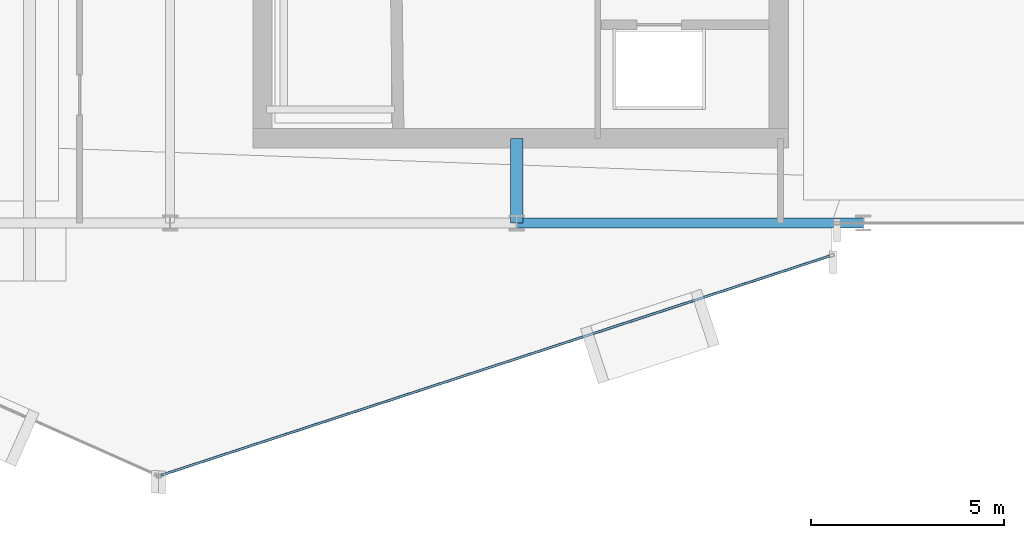
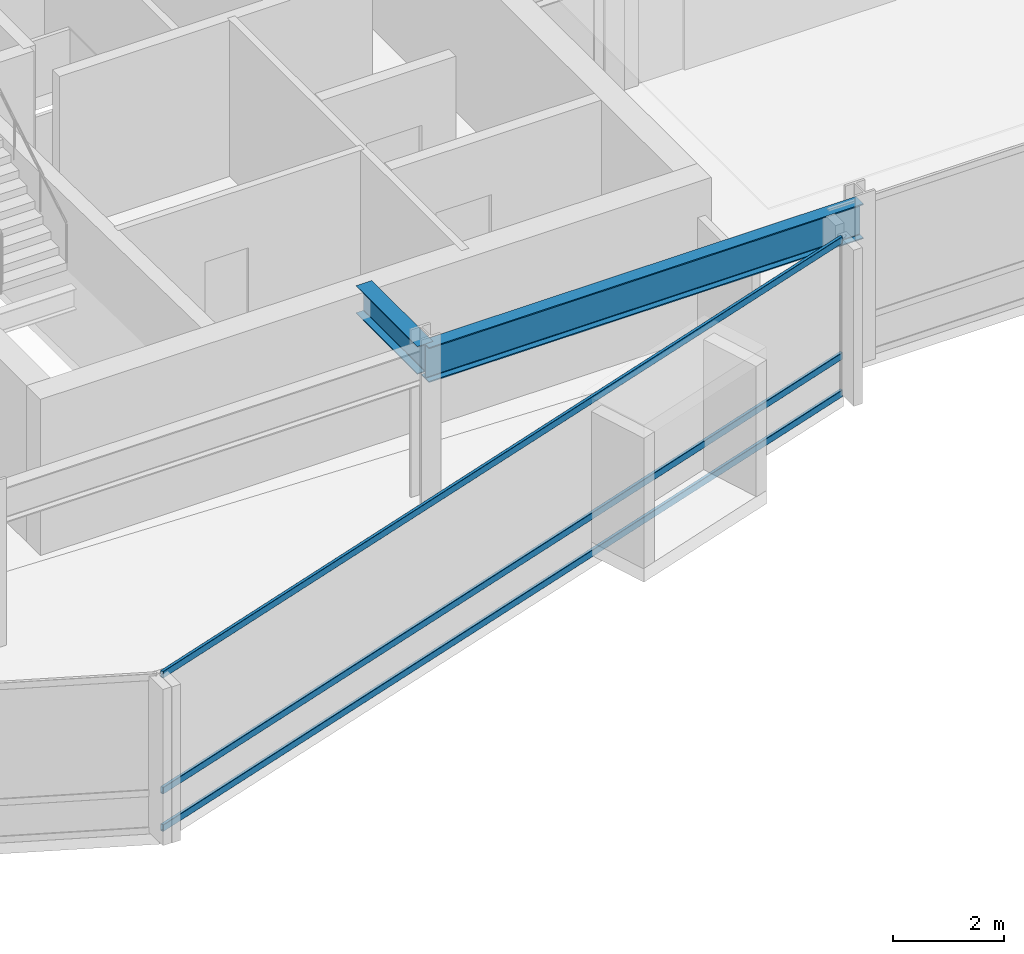
# One storey, part 9 of 27: 3 members, 2 beams, 1 element without a shape of its own.
"""IFC4 building model written with IfcOpenShell, lengths in metres."""

from ifc_helpers import new_model, si_unit, direction, frame, origin, origin_2d, place, context, subcontext, project, spatial, hollow_rectangle, i_section, extrude, material, layer, layer_set, material_profile, profile_set, type_object, element, aggregate, save


model = new_model("IFC4")

# Units and contexts
model_context = context("Model", 3, precision=1e-05, world=origin(), true_north=direction((0.0, 1.0)))
body_context = subcontext(model_context, "Body", "Model", "MODEL_VIEW")
ifc_project = project(units=[si_unit("LENGTHUNIT", "METRE"), si_unit("AREAUNIT", "SQUARE_METRE"), si_unit("VOLUMEUNIT", "CUBIC_METRE"), si_unit("PLANEANGLEUNIT", "RADIAN"), si_unit("MASSUNIT", "GRAM", prefix="KILO")], contexts=[model_context])

# Site, building, storey
site_placement = place(None, origin())
site = spatial("IfcSite", under=ifc_project, at=site_placement, CompositionType="ELEMENT")
building_placement = place(site_placement, origin())
building = spatial("IfcBuilding", under=site, at=building_placement, Name="Solvaryn Broadcast Tower", CompositionType="ELEMENT")
storey_placement = place(building_placement, frame((0.0, 0.0, 185.300048828125)))
storey = spatial("IfcBuildingStorey", under=building, at=storey_placement, Name="L46", CompositionType="ELEMENT", Elevation=185.300048828125)

# Beams
ifc_material_1 = material(Name="Steel ASTM A992 Grade 50", Category="steel")
ifc_material_profile_1 = material_profile(ifc_material_1, i_section(OverallWidth=0.323974609375, OverallDepth=0.611083984375, WebThickness=0.0126953125, FlangeThickness=0.01904296875, FilletRadius=0.014892578125, at=origin_2d()))
ifc_profile_set_1 = profile_set([ifc_material_profile_1], Name="Steel ASTM A992 Grade 50")
beam_type_1 = type_object("IfcBeamType", Name="BM-B1-W24X104", PredefinedType="BEAM", material=ifc_profile_set_1)
beam_1_placement = place(storey_placement, frame((36.0, 9.0, 3.114501953125), z_axis=(0.0, 1.0, 0.0), x_axis=(-1.0, 0.0, 0.0)))
element("IfcBeam", 1, at=beam_1_placement, inside=storey, type_object=beam_type_1, Name="L46 Core Tie Beam CTE1", PredefinedType="BEAM", context=body_context, shape_type="SweptSolid", body=[
    extrude(i_section(OverallWidth=0.323974609375, OverallDepth=0.611083984375, WebThickness=0.0126953125, FlangeThickness=0.01904296875, FilletRadius=0.014892578125, at=origin_2d()), origin(), (0.0, 0.0, 1.0), 2.199951171875),
])
ifc_material_2 = material(Name="Steel ASTM A992 Grade 50", Category="steel")
ifc_material_profile_2 = material_profile(ifc_material_2, i_section(OverallWidth=0.26708984375, OverallDepth=0.76611328125, WebThickness=0.014892578125, FlangeThickness=0.023681640625, FilletRadius=0.01806640625, at=origin_2d()))
ifc_profile_set_2 = profile_set([ifc_material_profile_2], Name="Steel ASTM A992 Grade 50")
beam_type_2 = type_object("IfcBeamType", Name="BM-SP2-W30X124", PredefinedType="USERDEFINED", material=ifc_profile_set_2)
beam_2_placement = place(storey_placement, frame((36.0, 9.0, 3.036865234375), z_axis=(1.0, 0.0, 0.0), x_axis=(0.0, 1.0, 0.0)))
element("IfcBeam", 2, at=beam_2_placement, inside=storey, type_object=beam_type_2, Name="L46 Spandrel Beam X (36-45 @ Y=9)", ObjectType="SPANDREL", PredefinedType="USERDEFINED", context=body_context, shape_type="SweptSolid", body=[
    extrude(i_section(OverallWidth=0.26708984375, OverallDepth=0.76611328125, WebThickness=0.014892578125, FlangeThickness=0.023681640625, FilletRadius=0.01806640625, at=origin_2d()), origin(), (0.0, 0.0, 1.0), 9.0),
])

# Curtain wall, members
ifc_material_3 = material(Name="Aluminium and Terracotta Unitised Curtain Wall", Category="masonry")
ifc_layer = layer(ifc_material_3, 0.199951171875)
ifc_layer_set = layer_set([ifc_layer], Name="CW-SYS2-LOWMID")
curtain_wall_type = type_object("IfcCurtainWallType", Name="CW-SYS2-LOWMID", PredefinedType="NOTDEFINED", material=ifc_layer_set)
curtain_wall_placement = place(storey_placement, origin())
curtain_wall = element("IfcCurtainWall", 3, at=curtain_wall_placement, inside=storey, type_object=curtain_wall_type, Name="L46 Curtain Wall DR4", PredefinedType="NOTDEFINED")
ifc_material_4 = material(Name="Anodised Aluminium 6063-T6", Category="aluminium")
ifc_material_profile_3 = material_profile(ifc_material_4, hollow_rectangle(XDim=0.06494140625, YDim=0.14990234375, WallThickness=0.00390625, InnerFilletRadius=0.00390625, OuterFilletRadius=0.008056640625, at=origin_2d()))
ifc_profile_set_3 = profile_set([ifc_material_profile_3], Name="Anodised Aluminium 6063-T6")
member_type = type_object("IfcMemberType", Name="CW-TRN-150", PredefinedType="USERDEFINED", material=ifc_profile_set_3)
member_1_placement = place(storey_placement, frame((26.762939453125, 2.45166015625, 0.030029296875), z_axis=(0.950227141586, 0.311557987209, 0.0), x_axis=(-0.311557987209, 0.950227141586, 0.0)))
member_1 = element("IfcMember", 4, at=member_1_placement, type_object=member_type, Name="CWS2 transom 1.1", ObjectType="TRANSOM", PredefinedType="USERDEFINED", context=body_context, shape_type="SweptSolid", body=[
    extrude(hollow_rectangle(XDim=0.06494140625, YDim=0.14990234375, WallThickness=0.00390625, InnerFilletRadius=0.00390625, OuterFilletRadius=0.008056640625, at=origin_2d()), origin(), (0.0, 0.0, 1.0), 18.271484375),
])
member_2_placement = place(storey_placement, frame((26.762939453125, 2.45166015625, 0.849853515625), z_axis=(0.950227141586, 0.311557987209, 0.0), x_axis=(-0.311557987209, 0.950227141586, 0.0)))
member_2 = element("IfcMember", 5, at=member_2_placement, type_object=member_type, Name="CWS2 transom 1.2", ObjectType="TRANSOM", PredefinedType="USERDEFINED", context=body_context, shape_type="SweptSolid", body=[
    extrude(hollow_rectangle(XDim=0.06494140625, YDim=0.14990234375, WallThickness=0.00390625, InnerFilletRadius=0.00390625, OuterFilletRadius=0.008056640625, at=origin_2d()), origin(), (0.0, 0.0, 1.0), 18.271484375),
])
member_3_placement = place(storey_placement, frame((26.762939453125, 2.45166015625, 3.389892578125), z_axis=(0.950227141586, 0.311557987209, 0.0), x_axis=(-0.311557987209, 0.950227141586, 0.0)))
member_3 = element("IfcMember", 6, at=member_3_placement, type_object=member_type, Name="CWS2 transom 1.3", ObjectType="TRANSOM", PredefinedType="USERDEFINED", context=body_context, shape_type="SweptSolid", body=[
    extrude(hollow_rectangle(XDim=0.06494140625, YDim=0.14990234375, WallThickness=0.00390625, InnerFilletRadius=0.00390625, OuterFilletRadius=0.008056640625, at=origin_2d()), origin(), (0.0, 0.0, 1.0), 18.271484375),
])
aggregate(curtain_wall, [member_1, member_2, member_3])

save(model, "model.ifc")
